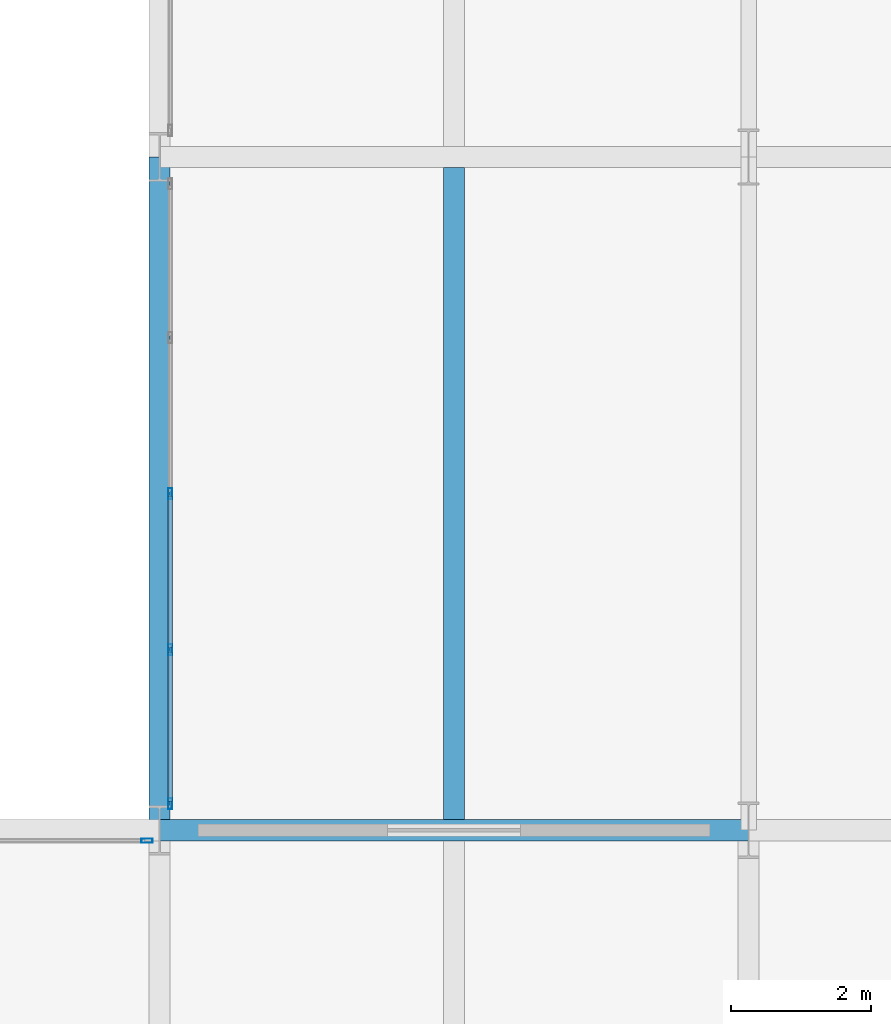
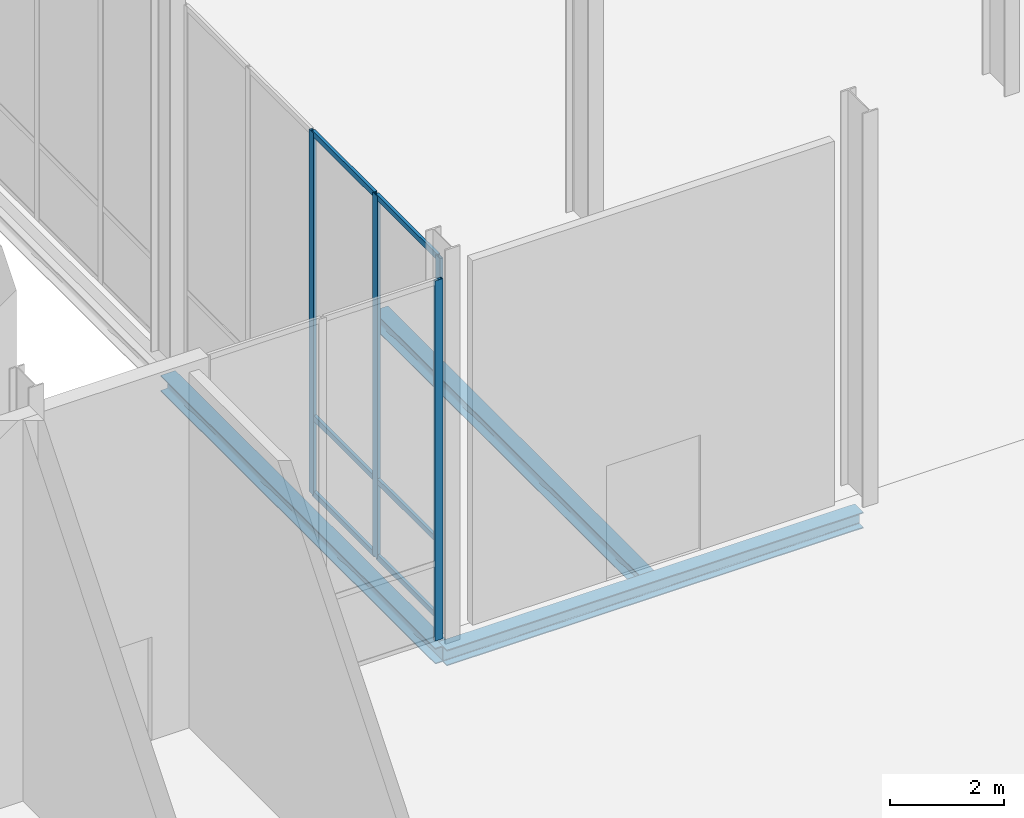
# One storey, part 53 of 131: 10 members, 3 beams, 2 elements without a shape of their own.
"""IFC4 building model written with IfcOpenShell, lengths in metres."""

from ifc_helpers import new_model, si_unit, direction, frame, origin, origin_2d, place, context, subcontext, project, spatial, hollow_rectangle, i_section, extrude, material, material_profile, profile_set, type_object, element, aggregate, save


model = new_model("IFC4")

# Units and contexts
model_context = context("Model", 3, precision=1e-05, world=origin(), true_north=direction((0.0, 1.0)))
body_context = subcontext(model_context, "Body", "Model", "MODEL_VIEW")
ifc_project = project(units=[si_unit("LENGTHUNIT", "METRE"), si_unit("AREAUNIT", "SQUARE_METRE"), si_unit("VOLUMEUNIT", "CUBIC_METRE"), si_unit("PLANEANGLEUNIT", "RADIAN"), si_unit("MASSUNIT", "GRAM", prefix="KILO")], contexts=[model_context])

# Site, building, storey
site_placement = place(None, origin())
site = spatial("IfcSite", under=ifc_project, at=site_placement, CompositionType="ELEMENT")
building_placement = place(site_placement, origin())
building = spatial("IfcBuilding", under=site, at=building_placement, Name="Veltarok Museum of Natural Sciences", CompositionType="ELEMENT")
storey_placement = place(building_placement, origin())
storey = spatial("IfcBuildingStorey", under=building, at=storey_placement, Name="L00", CompositionType="ELEMENT", Elevation=0.0)

# Curtain wall, members
ifc_material_1 = material(Name="Low-iron triple insulated glass", Category="glass")
curtain_wall_type_1 = type_object("IfcCurtainWallType", Name="Curtain Wall System CW-V2NPW-L00-1-890x773 (CW-V2NPW L00 890x773cm)", PredefinedType="NOTDEFINED", material=ifc_material_1)
curtain_wall_1_placement = place(storey_placement, origin())
curtain_wall_1 = element("IfcCurtainWall", 1, at=curtain_wall_1_placement, inside=storey, type_object=curtain_wall_type_1, Name="Curtain Wall CW-V2NPW-L00-1-890x773 CW-0213", PredefinedType="NOTDEFINED")
ifc_material_2 = material(Name="Thermally broken anodised aluminium", Category="aluminium")
ifc_material_profile_1 = material_profile(ifc_material_2, hollow_rectangle(XDim=0.06005859375, YDim=0.1201171875, WallThickness=0.0048828125, at=origin_2d()), Name="CW TRANSOM 60x120x5")
ifc_profile_set_1 = profile_set([ifc_material_profile_1], Name="Thermally broken anodised aluminium")
member_type_1 = type_object("IfcMemberType", Name="Curtain Wall Horizontal Transom 60x120x5", PredefinedType="USERDEFINED", material=ifc_profile_set_1)
member_1_placement = place(storey_placement, frame((56.949951171875, 72.409912109375, 0.028076171875), z_axis=(0.0, 1.0, 0.0), x_axis=(-1.0, 0.0, 0.0)))
member_1 = element("IfcMember", 2, at=member_1_placement, type_object=member_type_1, Name="CW-V2NPW-L00-1-890x773 transom 1.1", ObjectType="TRANSOM", PredefinedType="USERDEFINED", context=body_context, shape_type="SweptSolid", body=[
    extrude(hollow_rectangle(XDim=0.06005859375, YDim=0.1201171875, WallThickness=0.0048828125, at=origin_2d()), origin(), (0.0, 0.0, 1.0), 2.135009765625),
])
member_2_placement = place(storey_placement, frame((56.949951171875, 72.409912109375, 1.64794921875), z_axis=(0.0, 1.0, 0.0), x_axis=(-1.0, 0.0, 0.0)))
member_2 = element("IfcMember", 3, at=member_2_placement, type_object=member_type_1, Name="CW-V2NPW-L00-1-890x773 transom 1.2", ObjectType="TRANSOM", PredefinedType="USERDEFINED", context=body_context, shape_type="SweptSolid", body=[
    extrude(hollow_rectangle(XDim=0.06005859375, YDim=0.1201171875, WallThickness=0.0048828125, at=origin_2d()), origin(), (0.0, 0.0, 1.0), 2.135009765625),
])
member_3_placement = place(storey_placement, frame((56.949951171875, 72.409912109375, 7.699951171875), z_axis=(0.0, 1.0, 0.0), x_axis=(-1.0, 0.0, 0.0)))
member_3 = element("IfcMember", 4, at=member_3_placement, type_object=member_type_1, Name="CW-V2NPW-L00-1-890x773 transom 1.3", ObjectType="TRANSOM", PredefinedType="USERDEFINED", context=body_context, shape_type="SweptSolid", body=[
    extrude(hollow_rectangle(XDim=0.06005859375, YDim=0.1201171875, WallThickness=0.0048828125, at=origin_2d()), origin(), (0.0, 0.0, 1.0), 2.135009765625),
])
member_4_placement = place(storey_placement, frame((56.949951171875, 74.60498046875, 0.028076171875), z_axis=(0.0, 1.0, 0.0), x_axis=(-1.0, 0.0, 0.0)))
member_4 = element("IfcMember", 5, at=member_4_placement, type_object=member_type_1, Name="CW-V2NPW-L00-1-890x773 transom 2.1", ObjectType="TRANSOM", PredefinedType="USERDEFINED", context=body_context, shape_type="SweptSolid", body=[
    extrude(hollow_rectangle(XDim=0.06005859375, YDim=0.1201171875, WallThickness=0.0048828125, at=origin_2d()), origin(), (0.0, 0.0, 1.0), 2.1650390625),
])
member_5_placement = place(storey_placement, frame((56.949951171875, 74.60498046875, 1.64794921875), z_axis=(0.0, 1.0, 0.0), x_axis=(-1.0, 0.0, 0.0)))
member_5 = element("IfcMember", 6, at=member_5_placement, type_object=member_type_1, Name="CW-V2NPW-L00-1-890x773 transom 2.2", ObjectType="TRANSOM", PredefinedType="USERDEFINED", context=body_context, shape_type="SweptSolid", body=[
    extrude(hollow_rectangle(XDim=0.06005859375, YDim=0.1201171875, WallThickness=0.0048828125, at=origin_2d()), origin(), (0.0, 0.0, 1.0), 2.1650390625),
])
member_6_placement = place(storey_placement, frame((56.949951171875, 74.60498046875, 7.699951171875), z_axis=(0.0, 1.0, 0.0), x_axis=(-1.0, 0.0, 0.0)))
member_6 = element("IfcMember", 7, at=member_6_placement, type_object=member_type_1, Name="CW-V2NPW-L00-1-890x773 transom 2.3", ObjectType="TRANSOM", PredefinedType="USERDEFINED", context=body_context, shape_type="SweptSolid", body=[
    extrude(hollow_rectangle(XDim=0.06005859375, YDim=0.1201171875, WallThickness=0.0048828125, at=origin_2d()), origin(), (0.0, 0.0, 1.0), 2.1650390625),
])

# Curtain wall, member
curtain_wall_type_2 = type_object("IfcCurtainWallType", Name="Curtain Wall System CW-V2NH-L00-2-475x768 (CW-V2NH L00 475x768cm)", PredefinedType="NOTDEFINED", material=ifc_material_1)
curtain_wall_2_placement = place(storey_placement, origin())
curtain_wall_2 = element("IfcCurtainWall", 8, at=curtain_wall_2_placement, inside=storey, type_object=curtain_wall_type_2, Name="Curtain Wall CW-V2NH-L00-2-475x768 CW-0150", PredefinedType="NOTDEFINED")
ifc_material_profile_2 = material_profile(ifc_material_2, hollow_rectangle(XDim=0.06005859375, YDim=0.159912109375, WallThickness=0.0048828125, at=origin_2d()), Name="CW MULLION 60x160x5")
ifc_profile_set_2 = profile_set([ifc_material_profile_2], Name="Thermally broken anodised aluminium")
member_type_2 = type_object("IfcMemberType", Name="Curtain Wall Vertical Mullion 60x160x5", PredefinedType="MULLION", material=ifc_profile_set_2)
member_7_placement = place(storey_placement, frame((56.6201171875, 71.85009765625, -0.001953125), z_axis=(0.0, 0.0, 1.0), x_axis=(0.0, -1.0, 0.0)))
member_7 = element("IfcMember", 9, at=member_7_placement, type_object=member_type_2, Name="CW-V2NH-L00-2-475x768 mullion 1", PredefinedType="MULLION", context=body_context, shape_type="SweptSolid", body=[
    extrude(hollow_rectangle(XDim=0.06005859375, YDim=0.159912109375, WallThickness=0.0048828125, at=origin_2d()), origin(), (0.0, 0.0, 1.0), 7.681884765625),
])
aggregate(curtain_wall_2, [member_7])

# Member
member_8_placement = place(storey_placement, frame((56.949951171875, 72.3798828125, -0.001953125), z_axis=(0.0, 0.0, 1.0), x_axis=(-1.0, 0.0, 0.0)))
member_8 = element("IfcMember", 10, at=member_8_placement, type_object=member_type_2, Name="CW-V2NPW-L00-1-890x773 mullion 1", PredefinedType="MULLION", context=body_context, shape_type="SweptSolid", body=[
    extrude(hollow_rectangle(XDim=0.06005859375, YDim=0.159912109375, WallThickness=0.0048828125, at=origin_2d()), origin(), (0.0, 0.0, 1.0), 7.73193359375),
])

member_9_placement = place(storey_placement, frame((56.949951171875, 74.574951171875, -0.001953125), z_axis=(0.0, 0.0, 1.0), x_axis=(-1.0, 0.0, 0.0)))
member_9 = element("IfcMember", 11, at=member_9_placement, type_object=member_type_2, Name="CW-V2NPW-L00-1-890x773 mullion 2", PredefinedType="MULLION", context=body_context, shape_type="SweptSolid", body=[
    extrude(hollow_rectangle(XDim=0.06005859375, YDim=0.159912109375, WallThickness=0.0048828125, at=origin_2d()), origin(), (0.0, 0.0, 1.0), 7.73193359375),
])

member_10_placement = place(storey_placement, frame((56.949951171875, 76.800048828125, -0.001953125), z_axis=(0.0, 0.0, 1.0), x_axis=(-1.0, 0.0, 0.0)))
member_10 = element("IfcMember", 12, at=member_10_placement, type_object=member_type_2, Name="CW-V2NPW-L00-1-890x773 mullion 3", PredefinedType="MULLION", context=body_context, shape_type="SweptSolid", body=[
    extrude(hollow_rectangle(XDim=0.06005859375, YDim=0.159912109375, WallThickness=0.0048828125, at=origin_2d()), origin(), (0.0, 0.0, 1.0), 7.73193359375),
])

aggregate(curtain_wall_1, [member_8, member_9, member_10, member_1, member_2, member_3, member_4, member_5, member_6])

# Beams
ifc_material_3 = material(Name="Steel S355J2", Category="steel")
ifc_material_profile_3 = material_profile(ifc_material_3, i_section(OverallWidth=0.300048828125, OverallDepth=0.35009765625, WebThickness=0.010009765625, FlangeThickness=0.017578125, FilletRadius=0.027099609375, at=origin_2d()), Name="HEA 360")
ifc_profile_set_3 = profile_set([ifc_material_profile_3], Name="Steel S355J2")
beam_type_1 = type_object("IfcBeamType", Name="Long-Span Gallery Joist HEA 360", PredefinedType="JOIST", material=ifc_profile_set_3)
beam_1_placement = place(storey_placement, frame((61.0, 72.14794921875, -0.47509765625), z_axis=(0.0, 1.0, 0.0), x_axis=(-1.0, 0.0, 0.0)))
element("IfcBeam", 13, at=beam_1_placement, inside=storey, type_object=beam_type_1, Name="Secondary Joist BM-J07 L00 7-8/H-J.1", PredefinedType="JOIST", context=body_context, shape_type="SweptSolid", body=[
    extrude(i_section(OverallWidth=0.300048828125, OverallDepth=0.35009765625, WebThickness=0.010009765625, FlangeThickness=0.017578125, FilletRadius=0.027099609375, at=origin_2d()), origin(), (0.0, 0.0, 1.0), 9.303955078125),
])
ifc_material_profile_4 = material_profile(ifc_material_3, i_section(OverallWidth=0.300048828125, OverallDepth=0.340087890625, WebThickness=0.011962890625, FlangeThickness=0.021484375, FilletRadius=0.027099609375, at=origin_2d()), Name="HEB 340")
ifc_profile_set_4 = profile_set([ifc_material_profile_4], Name="Steel S355J2")
beam_type_2 = type_object("IfcBeamType", Name="Perimeter Bridge Spandrel HEB 340", PredefinedType="SPANDREL", material=ifc_profile_set_4)
beam_2_placement = place(storey_placement, frame((56.800048828125, 72.0, -0.469970703125), z_axis=(1.0, 0.0, 0.0), x_axis=(0.0, 1.0, 0.0)))
element("IfcBeam", 14, at=beam_2_placement, inside=storey, type_object=beam_type_2, Name="Beam BM-SP07 L00 7-8/H", PredefinedType="SPANDREL", context=body_context, shape_type="SweptSolid", body=[
    extrude(i_section(OverallWidth=0.300048828125, OverallDepth=0.340087890625, WebThickness=0.011962890625, FlangeThickness=0.021484375, FilletRadius=0.027099609375, at=origin_2d()), origin(), (0.0, 0.0, 1.0), 8.39990234375),
])
beam_3_placement = place(storey_placement, frame((56.800048828125, 72.0, -0.469970703125), z_axis=(0.0, 1.0, 0.0), x_axis=(-1.0, 0.0, 0.0)))
element("IfcBeam", 15, at=beam_3_placement, inside=storey, type_object=beam_type_2, Name="Beam BM-SP07 L00 7/H-J", PredefinedType="SPANDREL", context=body_context, shape_type="SweptSolid", body=[
    extrude(i_section(OverallWidth=0.300048828125, OverallDepth=0.340087890625, WebThickness=0.011962890625, FlangeThickness=0.021484375, FilletRadius=0.027099609375, at=origin_2d()), origin(), (0.0, 0.0, 1.0), 9.60009765625),
])

save(model, "model.ifc")
